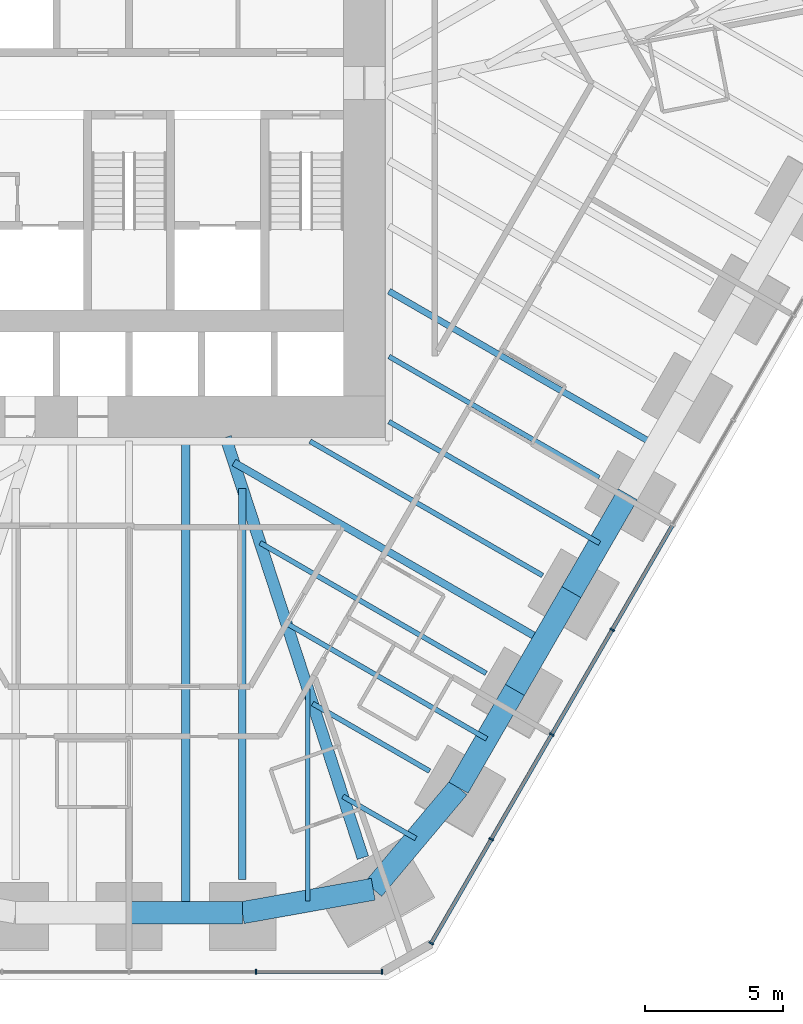
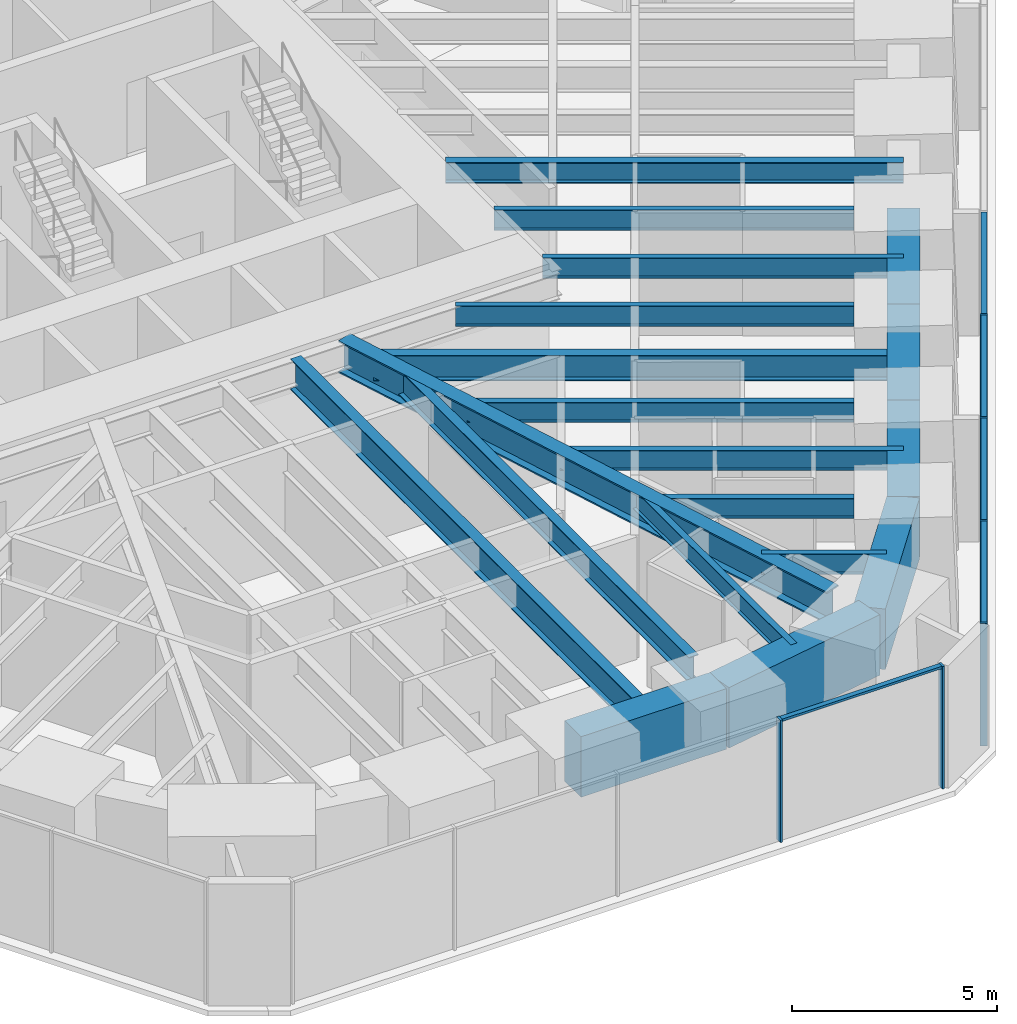
# One storey, part 5 of 17: 19 beams, 11 members, 2 elements without a shape of their own.
"""IFC4 building model written with IfcOpenShell, lengths in metres."""

from ifc_helpers import new_model, si_unit, direction, frame, origin, origin_2d, place, context, subcontext, project, spatial, rectangle, i_section, extrude, material, material_profile, profile_set, type_object, element, aggregate, save


model = new_model("IFC4")

# Units and contexts
model_context = context("Model", 3, precision=1e-05, world=origin(), true_north=direction((0.0, 1.0)))
body_context = subcontext(model_context, "Body", "Model", "MODEL_VIEW")
ifc_project = project(units=[si_unit("LENGTHUNIT", "METRE"), si_unit("AREAUNIT", "SQUARE_METRE"), si_unit("VOLUMEUNIT", "CUBIC_METRE"), si_unit("PLANEANGLEUNIT", "RADIAN"), si_unit("MASSUNIT", "GRAM", prefix="KILO")], contexts=[model_context])

# Site, building, storey
site_placement = place(None, origin())
site = spatial("IfcSite", under=ifc_project, at=site_placement, CompositionType="ELEMENT")
building_placement = place(site_placement, origin())
building = spatial("IfcBuilding", under=site, at=building_placement, Name="Sandreach Pilgrim Tower", CompositionType="ELEMENT")
storey_placement = place(building_placement, frame((0.0, 0.0, 72.39990234375)))
storey = spatial("IfcBuildingStorey", under=building, at=storey_placement, Name="L17", CompositionType="ELEMENT", Elevation=72.39990234375)

# Curtain wall, members
ifc_material_1 = material(Name="Aluminium framed curtain wall", Category="aluminium")
curtain_wall_type = type_object("IfcCurtainWallType", Name="Hostel tower curtain wall", PredefinedType="NOTDEFINED", material=ifc_material_1)
curtain_wall_1_placement = place(storey_placement, origin())
curtain_wall_1 = element("IfcCurtainWall", 1, at=curtain_wall_1_placement, inside=storey, type_object=curtain_wall_type, Name="CW-1 L17 SE", PredefinedType="NOTDEFINED")
ifc_material_2 = material(Name="Aluminium extrusion", Category="aluminium")
ifc_material_profile_1 = material_profile(ifc_material_2, rectangle(XDim=0.06494140625, YDim=0.179931640625, at=origin_2d()), Name="CW-1M 65X180")
ifc_profile_set_1 = profile_set([ifc_material_profile_1], Name="Aluminium extrusion")
member_type_1 = type_object("IfcMemberType", Name="CW-1 mullion", PredefinedType="MULLION", material=ifc_profile_set_1)
member_1_placement = place(storey_placement, frame((17.46142578125, -17.6533203125, 0.0), z_axis=(0.0, 0.0, 1.0), x_axis=(-0.5, -0.866025403784, 0.0)))
member_1 = element("IfcMember", 2, at=member_1_placement, type_object=member_type_1, Name="CW-1 mullion 7", PredefinedType="MULLION", context=body_context, shape_type="SweptSolid", body=[
    extrude(rectangle(XDim=0.06494140625, YDim=0.179931640625, at=origin_2d()), origin(), (0.0, 0.0, 1.0), 3.64013671875),
])
member_2_placement = place(storey_placement, frame((15.275634765625, -21.439208984375, 0.0), z_axis=(0.0, 0.0, 1.0), x_axis=(-0.5, -0.866025403784, 0.0)))
member_2 = element("IfcMember", 3, at=member_2_placement, type_object=member_type_1, Name="CW-1 mullion 8", PredefinedType="MULLION", context=body_context, shape_type="SweptSolid", body=[
    extrude(rectangle(XDim=0.06494140625, YDim=0.179931640625, at=origin_2d()), origin(), (0.0, 0.0, 1.0), 3.64013671875),
])
member_3_placement = place(storey_placement, frame((13.08984375, -25.22509765625, 0.0), z_axis=(0.0, 0.0, 1.0), x_axis=(-0.5, -0.866025403784, 0.0)))
member_3 = element("IfcMember", 4, at=member_3_placement, type_object=member_type_1, Name="CW-1 mullion 9", PredefinedType="MULLION", context=body_context, shape_type="SweptSolid", body=[
    extrude(rectangle(XDim=0.06494140625, YDim=0.179931640625, at=origin_2d()), origin(), (0.0, 0.0, 1.0), 3.64013671875),
])
member_4_placement = place(storey_placement, frame((10.92041015625, -28.982666015625, 0.0), z_axis=(0.0, 0.0, 1.0), x_axis=(-0.5, -0.866025403784, 0.0)))
member_4 = element("IfcMember", 5, at=member_4_placement, type_object=member_type_1, Name="CW-1 mullion 10", PredefinedType="MULLION", context=body_context, shape_type="SweptSolid", body=[
    extrude(rectangle(XDim=0.06494140625, YDim=0.179931640625, at=origin_2d()), origin(), (0.0, 0.0, 1.0), 3.64013671875),
])

curtain_wall_2_placement = place(storey_placement, origin())
curtain_wall_2 = element("IfcCurtainWall", 6, at=curtain_wall_2_placement, inside=storey, type_object=curtain_wall_type, Name="CW-1 L17 S", PredefinedType="NOTDEFINED")
member_5_placement = place(storey_placement, frame((9.1396484375, -30.010986328125, 0.0), z_axis=(0.0, 0.0, 1.0), x_axis=(-1.0, 0.0, 0.0)))
member_5 = element("IfcMember", 7, at=member_5_placement, type_object=member_type_1, Name="CW-1 mullion 1", PredefinedType="MULLION", context=body_context, shape_type="SweptSolid", body=[
    extrude(rectangle(XDim=0.06494140625, YDim=0.179931640625, at=origin_2d()), origin(), (0.0, 0.0, 1.0), 3.64013671875),
])
member_6_placement = place(storey_placement, frame((4.5859375, -30.010986328125, 0.0), z_axis=(0.0, 0.0, 1.0), x_axis=(-1.0, 0.0, 0.0)))
member_6 = element("IfcMember", 8, at=member_6_placement, type_object=member_type_1, Name="CW-1 mullion 2", PredefinedType="MULLION", context=body_context, shape_type="SweptSolid", body=[
    extrude(rectangle(XDim=0.06494140625, YDim=0.179931640625, at=origin_2d()), origin(), (0.0, 0.0, 1.0), 3.64013671875),
])

# Member
ifc_material_3 = material(Name="Aluminium extrusion", Category="aluminium")
ifc_material_profile_2 = material_profile(ifc_material_3, rectangle(XDim=0.139892578125, YDim=0.070068359375, at=origin_2d()), Name="CW-1T 140X70")
ifc_profile_set_2 = profile_set([ifc_material_profile_2], Name="Aluminium extrusion")
member_type_2 = type_object("IfcMemberType", Name="CW-1 transom", PredefinedType="USERDEFINED", material=ifc_profile_set_2)
member_7_placement = place(storey_placement, frame((19.631103515625, -13.8955078125, 3.60498046875), z_axis=(-0.500016891966, -0.866015650984, 0.0), x_axis=(0.866015650984, -0.500016891966, 0.0)))
member_7 = element("IfcMember", 9, at=member_7_placement, type_object=member_type_2, Name="CW-1 head transom 6", ObjectType="TRANSOM", PredefinedType="USERDEFINED", context=body_context, shape_type="SweptSolid", body=[
    extrude(rectangle(XDim=0.139892578125, YDim=0.070068359375, at=origin_2d()), origin(), (0.0, 0.0, 1.0), 4.306396484375),
])

member_8_placement = place(storey_placement, frame((17.4453125, -17.681396484375, 3.60498046875), z_axis=(-0.500016891966, -0.866015650984, 0.0), x_axis=(0.866015650984, -0.500016891966, 0.0)))
member_8 = element("IfcMember", 10, at=member_8_placement, type_object=member_type_2, Name="CW-1 head transom 7", ObjectType="TRANSOM", PredefinedType="USERDEFINED", context=body_context, shape_type="SweptSolid", body=[
    extrude(rectangle(XDim=0.139892578125, YDim=0.070068359375, at=origin_2d()), origin(), (0.0, 0.0, 1.0), 4.306396484375),
])

member_9_placement = place(storey_placement, frame((15.259521484375, -21.46728515625, 3.60498046875), z_axis=(-0.500016891966, -0.866015650984, 0.0), x_axis=(0.866015650984, -0.500016891966, 0.0)))
member_9 = element("IfcMember", 11, at=member_9_placement, type_object=member_type_2, Name="CW-1 head transom 8", ObjectType="TRANSOM", PredefinedType="USERDEFINED", context=body_context, shape_type="SweptSolid", body=[
    extrude(rectangle(XDim=0.139892578125, YDim=0.070068359375, at=origin_2d()), origin(), (0.0, 0.0, 1.0), 4.306396484375),
])

member_10_placement = place(storey_placement, frame((13.07373046875, -25.253173828125, 3.60498046875), z_axis=(-0.500033953635, -0.866005799756, 0.0), x_axis=(0.866005799756, -0.500033953635, 0.0)))
member_10 = element("IfcMember", 12, at=member_10_placement, type_object=member_type_2, Name="CW-1 head transom 9", ObjectType="TRANSOM", PredefinedType="USERDEFINED", context=body_context, shape_type="SweptSolid", body=[
    extrude(rectangle(XDim=0.139892578125, YDim=0.070068359375, at=origin_2d()), origin(), (0.0, 0.0, 1.0), 4.274169921875),
])

aggregate(curtain_wall_1, [member_1, member_2, member_3, member_4, member_7, member_8, member_9, member_10])

member_11_placement = place(storey_placement, frame((9.107177734375, -30.010986328125, 3.60498046875), z_axis=(-1.0, 0.0, 0.0), x_axis=(0.0, -1.0, 0.0)))
member_11 = element("IfcMember", 13, at=member_11_placement, type_object=member_type_2, Name="CW-1 head transom 1", ObjectType="TRANSOM", PredefinedType="USERDEFINED", context=body_context, shape_type="SweptSolid", body=[
    extrude(rectangle(XDim=0.139892578125, YDim=0.070068359375, at=origin_2d()), origin(), (0.0, 0.0, 1.0), 4.488525390625),
])

aggregate(curtain_wall_2, [member_5, member_6, member_11])

# Beams
ifc_material_4 = material(Name="Steel ASTM A992 Grade 50", Category="steel")
ifc_material_profile_3 = material_profile(ifc_material_4, i_section(OverallWidth=0.424072265625, OverallDepth=0.947509765625, WebThickness=0.02392578125, FlangeThickness=0.042724609375, at=origin_2d()), Name="W36X302")
ifc_profile_set_3 = profile_set([ifc_material_profile_3], Name="Steel ASTM A992 Grade 50")
beam_type_1 = type_object("IfcBeamType", Name="Corner girder W36X302", PredefinedType="BEAM", material=ifc_profile_set_3)
beam_1_placement = place(storey_placement, frame((8.45166015625, -25.891357421875, 3.16650390625), z_axis=(-0.310318383397, 0.950632684545, 0.0), x_axis=(-0.950632684545, -0.310318383397, 0.0)))
element("IfcBeam", 14, at=beam_1_placement, inside=storey, type_object=beam_type_1, Name="BM L17 CG22", PredefinedType="BEAM", context=body_context, shape_type="SweptSolid", body=[
    extrude(i_section(OverallWidth=0.424072265625, OverallDepth=0.947509765625, WebThickness=0.02392578125, FlangeThickness=0.042724609375, at=origin_2d()), origin(), (0.0, 0.0, 1.0), 15.980224609375),
])
ifc_material_5 = material(Name="Steel ASTM A992 Grade 50", Category="steel")
ifc_material_profile_4 = material_profile(ifc_material_5, i_section(OverallWidth=0.1787109375, OverallDepth=0.60205078125, WebThickness=0.010986328125, FlangeThickness=0.014892578125, at=origin_2d()), Name="W24X62")
ifc_profile_set_4 = profile_set([ifc_material_profile_4], Name="Steel ASTM A992 Grade 50")
beam_type_2 = type_object("IfcBeamType", Name="Floor beam W24X62", PredefinedType="BEAM", material=ifc_profile_set_4)
beam_2_placement = place(storey_placement, frame((16.985107421875, -12.162109375, 3.339111328125), z_axis=(-0.866028828302, 0.499994068514, 0.0), x_axis=(-0.499994068514, -0.866028828302, 0.0)))
element("IfcBeam", 15, at=beam_2_placement, inside=storey, type_object=beam_type_2, Name="BM L17 F18", PredefinedType="BEAM", context=body_context, shape_type="SweptSolid", body=[
    extrude(i_section(OverallWidth=0.1787109375, OverallDepth=0.60205078125, WebThickness=0.010986328125, FlangeThickness=0.014892578125, at=origin_2d()), origin(), (0.0, 0.0, 1.0), 8.76611328125),
])
beam_3_placement = place(storey_placement, frame((14.94482421875, -15.69580078125, 3.339111328125), z_axis=(-0.866023882772, 0.500002634462, 0.0), x_axis=(-0.500002634462, -0.866023882772, 0.0)))
element("IfcBeam", 16, at=beam_3_placement, inside=storey, type_object=beam_type_2, Name="BM L17 F19", PredefinedType="BEAM", context=body_context, shape_type="SweptSolid", body=[
    extrude(i_section(OverallWidth=0.1787109375, OverallDepth=0.60205078125, WebThickness=0.010986328125, FlangeThickness=0.014892578125, at=origin_2d()), origin(), (0.0, 0.0, 1.0), 9.705078125),
])
beam_4_placement = place(storey_placement, frame((12.90478515625, -19.229736328125, 3.339111328125), z_axis=(-0.866013563863, 0.500020506785, 0.0), x_axis=(-0.500020506785, -0.866013563863, 0.0)))
element("IfcBeam", 17, at=beam_4_placement, inside=storey, type_object=beam_type_2, Name="BM L17 F20", PredefinedType="BEAM", context=body_context, shape_type="SweptSolid", body=[
    extrude(i_section(OverallWidth=0.1787109375, OverallDepth=0.60205078125, WebThickness=0.010986328125, FlangeThickness=0.014892578125, at=origin_2d()), origin(), (0.0, 0.0, 1.0), 9.43017578125),
])
beam_5_placement = place(storey_placement, frame((10.864501953125, -22.763427734375, 3.339111328125), z_axis=(-0.866017503598, 0.500013683274, 0.0), x_axis=(-0.500013683274, -0.866017503598, 0.0)))
element("IfcBeam", 18, at=beam_5_placement, inside=storey, type_object=beam_type_2, Name="BM L17 F21", PredefinedType="BEAM", context=body_context, shape_type="SweptSolid", body=[
    extrude(i_section(OverallWidth=0.1787109375, OverallDepth=0.60205078125, WebThickness=0.010986328125, FlangeThickness=0.014892578125, at=origin_2d()), origin(), (0.0, 0.0, 1.0), 4.885986328125),
])
beam_6_placement = place(storey_placement, frame((17.004150390625, -14.529052734375, 3.339111328125), z_axis=(-0.866017191273, 0.500014224217, 0.0), x_axis=(-0.500014224217, -0.866017191273, 0.0)))
element("IfcBeam", 19, at=beam_6_placement, inside=storey, type_object=beam_type_2, Name="BM L17 FM18", PredefinedType="BEAM", context=body_context, shape_type="SweptSolid", body=[
    extrude(i_section(OverallWidth=0.1787109375, OverallDepth=0.60205078125, WebThickness=0.010986328125, FlangeThickness=0.014892578125, at=origin_2d()), origin(), (0.0, 0.0, 1.0), 8.788330078125),
])
beam_7_placement = place(storey_placement, frame((12.923828125, -21.596435546875, 3.339111328125), z_axis=(-0.866028955209, 0.499993848702, 0.0), x_axis=(-0.499993848702, -0.866028955209, 0.0)))
element("IfcBeam", 20, at=beam_7_placement, inside=storey, type_object=beam_type_2, Name="BM L17 FM20", PredefinedType="BEAM", context=body_context, shape_type="SweptSolid", body=[
    extrude(i_section(OverallWidth=0.1787109375, OverallDepth=0.60205078125, WebThickness=0.010986328125, FlangeThickness=0.014892578125, at=origin_2d()), origin(), (0.0, 0.0, 1.0), 8.35791015625),
])
beam_8_placement = place(storey_placement, frame((10.36376953125, -25.19775390625, 3.339111328125), z_axis=(-0.866022582964, 0.500004885773, 0.0), x_axis=(-0.500004885773, -0.866022582964, 0.0)))
element("IfcBeam", 21, at=beam_8_placement, inside=storey, type_object=beam_type_2, Name="BM L17 FM21", PredefinedType="BEAM", context=body_context, shape_type="SweptSolid", body=[
    extrude(i_section(OverallWidth=0.1787109375, OverallDepth=0.60205078125, WebThickness=0.010986328125, FlangeThickness=0.014892578125, at=origin_2d()), origin(), (0.0, 0.0, 1.0), 3.04296875),
])
beam_9_placement = place(storey_placement, frame((6.458984375, -27.455078125, 3.339111328125), z_axis=(0.0, 1.0, 0.0), x_axis=(-1.0, 0.0, 0.0)))
element("IfcBeam", 22, at=beam_9_placement, inside=storey, type_object=beam_type_2, Name="BM L17 FM22", PredefinedType="BEAM", context=body_context, shape_type="SweptSolid", body=[
    extrude(i_section(OverallWidth=0.1787109375, OverallDepth=0.60205078125, WebThickness=0.010986328125, FlangeThickness=0.014892578125, at=origin_2d()), origin(), (0.0, 0.0, 1.0), 7.66796875),
])
ifc_material_6 = material(Name="Steel ASTM A992 Grade 50", Category="steel")
ifc_material_profile_5 = material_profile(ifc_material_6, i_section(OverallWidth=0.23046875, OverallDepth=0.6171875, WebThickness=0.01318359375, FlangeThickness=0.022216796875, at=origin_2d()), Name="W24X94")
ifc_profile_set_5 = profile_set([ifc_material_profile_5], Name="Steel ASTM A992 Grade 50")
beam_type_3 = type_object("IfcBeamType", Name="Floor beam W24X94", PredefinedType="BEAM", material=ifc_profile_set_5)
beam_10_placement = place(storey_placement, frame((19.04443359375, -10.995361328125, 3.33154296875), z_axis=(-0.866027618733, 0.499996163577, 0.0), x_axis=(-0.499996163577, -0.866027618733, 0.0)))
element("IfcBeam", 23, at=beam_10_placement, inside=storey, type_object=beam_type_3, Name="BM L17 FM17", PredefinedType="BEAM", context=body_context, shape_type="SweptSolid", body=[
    extrude(i_section(OverallWidth=0.23046875, OverallDepth=0.6171875, WebThickness=0.01318359375, FlangeThickness=0.022216796875, at=origin_2d()), origin(), (0.0, 0.0, 1.0), 11.14404296875),
])
ifc_material_7 = material(Name="Steel ASTM A992 Grade 50", Category="steel")
ifc_material_profile_6 = material_profile(ifc_material_7, i_section(OverallWidth=0.2666015625, OverallDepth=0.761962890625, WebThickness=0.014404296875, FlangeThickness=0.021484375, at=origin_2d()), Name="W30X116")
ifc_profile_set_6 = profile_set([ifc_material_profile_6], Name="Steel ASTM A992 Grade 50")
beam_type_4 = type_object("IfcBeamType", Name="Floor beam W30X116", PredefinedType="BEAM", material=ifc_profile_set_6)
beam_11_placement = place(storey_placement, frame((4.09423828125, -26.67822265625, 3.259033203125), z_axis=(0.0, 1.0, 0.0), x_axis=(-1.0, 0.0, 0.0)))
element("IfcBeam", 24, at=beam_11_placement, inside=storey, type_object=beam_type_4, Name="BM L17 F23", PredefinedType="BEAM", context=body_context, shape_type="SweptSolid", body=[
    extrude(i_section(OverallWidth=0.2666015625, OverallDepth=0.761962890625, WebThickness=0.014404296875, FlangeThickness=0.021484375, at=origin_2d()), origin(), (0.0, 0.0, 1.0), 14.1357421875),
])
beam_12_placement = place(storey_placement, frame((14.964111328125, -18.062744140625, 3.259033203125), z_axis=(-0.866026773083, 0.499997628298, 0.0), x_axis=(-0.499997628298, -0.866026773083, 0.0)))
element("IfcBeam", 25, at=beam_12_placement, inside=storey, type_object=beam_type_4, Name="BM L17 FM19", PredefinedType="BEAM", context=body_context, shape_type="SweptSolid", body=[
    extrude(i_section(OverallWidth=0.2666015625, OverallDepth=0.761962890625, WebThickness=0.014404296875, FlangeThickness=0.021484375, at=origin_2d()), origin(), (0.0, 0.0, 1.0), 12.90234375),
])
ifc_material_8 = material(Name="Steel ASTM A992 Grade 50", Category="steel")
ifc_material_profile_7 = material_profile(ifc_material_8, i_section(OverallWidth=0.3046875, OverallDepth=0.914306640625, WebThickness=0.0166015625, FlangeThickness=0.02587890625, at=origin_2d()), Name="W36X160")
ifc_profile_set_7 = profile_set([ifc_material_profile_7], Name="Steel ASTM A992 Grade 50")
beam_type_5 = type_object("IfcBeamType", Name="Floor beam W36X160", PredefinedType="BEAM", material=ifc_profile_set_7)
beam_13_placement = place(storey_placement, frame((2.047119140625, -27.87841796875, 3.182861328125), z_axis=(0.0, 1.0, 0.0), x_axis=(-1.0, 0.0, 0.0)))
element("IfcBeam", 26, at=beam_13_placement, inside=storey, type_object=beam_type_5, Name="BM L17 FM23", PredefinedType="BEAM", context=body_context, shape_type="SweptSolid", body=[
    extrude(i_section(OverallWidth=0.3046875, OverallDepth=0.914306640625, WebThickness=0.0166015625, FlangeThickness=0.02587890625, at=origin_2d()), origin(), (0.0, 0.0, 1.0), 17.03515625),
])
ifc_material_9 = material(Name="Concrete 10000 psi", Category="concrete")
ifc_material_profile_8 = material_profile(ifc_material_9, rectangle(XDim=0.800048828125, YDim=1.800048828125, at=origin_2d()), Name="RC800X1800")
ifc_profile_set_8 = profile_set([ifc_material_profile_8], Name="Concrete 10000 psi")
beam_type_6 = type_object("IfcBeamType", Name="Spandrel beam RC800X1800", PredefinedType="SPANDREL", material=ifc_profile_set_8)
for number, where, z_axis, x_axis, name in (
    (27, (18.0244140625, -12.76220703125, 2.739990234375), (-0.500019394716, -0.86601420595, 0.0), (0.86601420595, -0.500019394716, 0.0), "BM L17 SP18"),
    (28, (15.984130859375, -16.2958984375, 2.739990234375), (-0.500019394716, -0.86601420595, 0.0), (0.86601420595, -0.500019394716, 0.0), "BM L17 SP19"),
    (29, (13.94384765625, -19.82958984375, 2.739990234375), (-0.499974519561, -0.866040114423, 0.0), (0.866040114423, -0.499974519561, 0.0), "BM L17 SP20"),
):
    element("IfcBeam", number, at=place(storey_placement, frame(where, z_axis=z_axis, x_axis=x_axis)), inside=storey, type_object=beam_type_6, Name=name, PredefinedType="SPANDREL", context=body_context, shape_type="SweptSolid", body=[
        extrude(rectangle(XDim=0.800048828125, YDim=1.800048828125, at=origin_2d()), origin(), (0.0, 0.0, 1.0), 4.080322265625),
    ])
beam_14_placement = place(storey_placement, frame((11.90380859375, -23.36328125, 2.739990234375), z_axis=(-0.642962557654, -0.765897610295, 0.0), x_axis=(0.765897610295, -0.642962557654, 0.0)))
element("IfcBeam", 30, at=beam_14_placement, inside=storey, type_object=beam_type_6, Name="BM L17 SP21", PredefinedType="SPANDREL", context=body_context, shape_type="SweptSolid", body=[
    extrude(rectangle(XDim=0.800048828125, YDim=1.800048828125, at=origin_2d()), origin(), (0.0, 0.0, 1.0), 4.7900390625),
])
beam_15_placement = place(storey_placement, frame((8.823974609375, -27.031982421875, 2.739990234375), z_axis=(-0.984361244029, -0.176161690654, 0.0), x_axis=(0.176161690654, -0.984361244029, 0.0)))
element("IfcBeam", 31, at=beam_15_placement, inside=storey, type_object=beam_type_6, Name="BM L17 SP22", PredefinedType="SPANDREL", context=body_context, shape_type="SweptSolid", body=[
    extrude(rectangle(XDim=0.800048828125, YDim=1.800048828125, at=origin_2d()), origin(), (0.0, 0.0, 1.0), 4.804931640625),
])
beam_16_placement = place(storey_placement, frame((4.09423828125, -27.87841796875, 2.739990234375), z_axis=(-1.0, 0.0, 0.0), x_axis=(0.0, -1.0, 0.0)))
element("IfcBeam", 32, at=beam_16_placement, inside=storey, type_object=beam_type_6, Name="BM L17 SP23", PredefinedType="SPANDREL", context=body_context, shape_type="SweptSolid", body=[
    extrude(rectangle(XDim=0.800048828125, YDim=1.800048828125, at=origin_2d()), origin(), (0.0, 0.0, 1.0), 4.09423828125),
])

save(model, "model.ifc")
